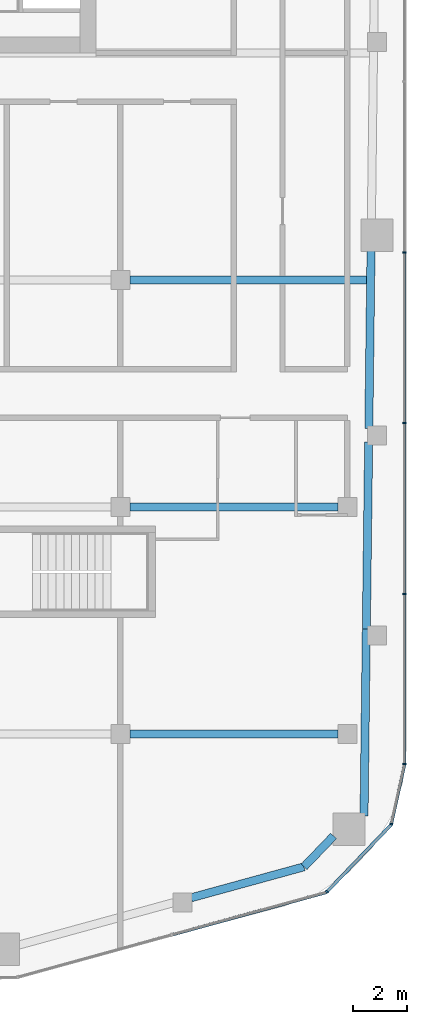
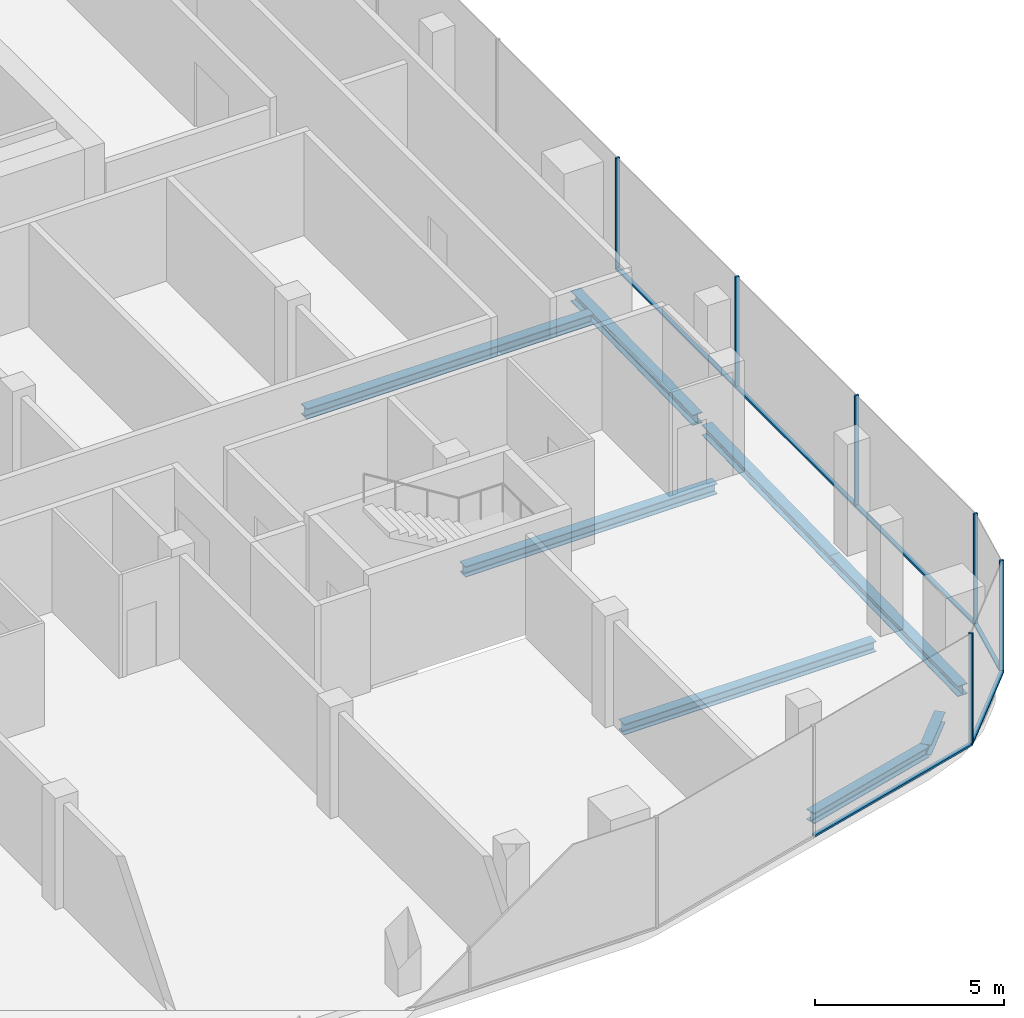
# One storey, part 6 of 19: 12 members, 8 beams, 4 elements without a shape of their own.
"""IFC4 building model written with IfcOpenShell, lengths in metres."""

from ifc_helpers import new_model, si_unit, direction, frame, origin, origin_2d, place, context, subcontext, project, spatial, rectangle, i_section, extrude, material, layer, layer_set, material_profile, profile_set, type_object, element, aggregate, save


model = new_model("IFC4")

# Units and contexts
model_context = context("Model", 3, precision=1e-05, world=origin(), true_north=direction((0.0, 1.0)))
body_context = subcontext(model_context, "Body", "Model", "MODEL_VIEW")
ifc_project = project(units=[si_unit("LENGTHUNIT", "METRE"), si_unit("AREAUNIT", "SQUARE_METRE"), si_unit("VOLUMEUNIT", "CUBIC_METRE"), si_unit("PLANEANGLEUNIT", "RADIAN"), si_unit("MASSUNIT", "GRAM", prefix="KILO")], contexts=[model_context])

# Site, building, storey
site_placement = place(None, origin())
site = spatial("IfcSite", under=ifc_project, at=site_placement, CompositionType="ELEMENT")
building_placement = place(site_placement, origin())
building = spatial("IfcBuilding", under=site, at=building_placement, Name="Marenta Gate Hotel Tower", CompositionType="ELEMENT")
storey_placement = place(building_placement, frame((0.0, 0.0, 274.10009765625)))
storey = spatial("IfcBuildingStorey", under=building, at=storey_placement, Name="L63", CompositionType="ELEMENT", Elevation=274.10009765625)

# Beams
ifc_material_1 = material(Name="Steel S355", Category="steel")
ifc_material_profile_1 = material_profile(ifc_material_1, i_section(OverallWidth=0.300048828125, OverallDepth=0.340087890625, WebThickness=0.011962890625, FlangeThickness=0.021484375, FilletRadius=0.027099609375, at=origin_2d()), Name="HEB 340")
ifc_profile_set_1 = profile_set([ifc_material_profile_1], Name="Steel S355")
beam_type_1 = type_object("IfcBeamType", Name="Edge beam HEB 340", PredefinedType="SPANDREL", material=ifc_profile_set_1)
beam_1_placement = place(storey_placement, frame((21.877197265625, -7.31005859375, -0.43017578125), z_axis=(-0.012334222436, -0.999923930585, 0.0), x_axis=(0.999923930585, -0.012334222436, 0.0)))
element("IfcBeam", 1, at=beam_1_placement, inside=storey, type_object=beam_type_1, Name="L63-EB-25", PredefinedType="SPANDREL", context=body_context, shape_type="SweptSolid", body=[
    extrude(i_section(OverallWidth=0.300048828125, OverallDepth=0.340087890625, WebThickness=0.011962890625, FlangeThickness=0.021484375, FilletRadius=0.027099609375, at=origin_2d()), origin(), (0.0, 0.0, 1.0), 6.59130859375),
])
for number, where, z_axis, x_axis, name in (
    (2, (21.789794921875, -14.40087890625, -0.43017578125), (-0.01235432395, -0.999923682428, 0.0), (0.999923682428, -0.01235432395, 0.0), "L63-EB-26"),
    (3, (21.704345703125, -21.31689453125, -0.43017578125), (-0.012319031246, -0.999924117856, 0.0), (0.999924117856, -0.012319031246, 0.0), "L63-EB-27"),
):
    element("IfcBeam", number, at=place(storey_placement, frame(where, z_axis=z_axis, x_axis=x_axis)), inside=storey, type_object=beam_type_1, Name=name, PredefinedType="SPANDREL", context=body_context, shape_type="SweptSolid", body=[
        extrude(i_section(OverallWidth=0.300048828125, OverallDepth=0.340087890625, WebThickness=0.011962890625, FlangeThickness=0.021484375, FilletRadius=0.027099609375, at=origin_2d()), origin(), (0.0, 0.0, 1.0), 6.91650390625),
    ])
beam_2_placement = place(storey_placement, frame((20.49072265625, -28.979248046875, -0.43017578125), z_axis=(-0.69258652087, -0.721334812073, 0.0), x_axis=(0.721334812073, -0.69258652087, 0.0)))
element("IfcBeam", 4, at=beam_2_placement, inside=storey, type_object=beam_type_1, Name="L63-EB-28", PredefinedType="SPANDREL", context=body_context, shape_type="SweptSolid", body=[
    extrude(i_section(OverallWidth=0.300048828125, OverallDepth=0.340087890625, WebThickness=0.011962890625, FlangeThickness=0.021484375, FilletRadius=0.027099609375, at=origin_2d()), origin(), (0.0, 0.0, 1.0), 1.57958984375),
])
beam_3_placement = place(storey_placement, frame((19.396728515625, -30.11865234375, -0.43017578125), z_axis=(-0.964358292356, -0.264599856319, 0.0), x_axis=(0.264599856319, -0.964358292356, 0.0)))
element("IfcBeam", 5, at=beam_3_placement, inside=storey, type_object=beam_type_1, Name="L63-EB-29", PredefinedType="SPANDREL", context=body_context, shape_type="SweptSolid", body=[
    extrude(i_section(OverallWidth=0.300048828125, OverallDepth=0.340087890625, WebThickness=0.011962890625, FlangeThickness=0.021484375, FilletRadius=0.027099609375, at=origin_2d()), origin(), (0.0, 0.0, 1.0), 4.3330078125),
])
ifc_material_2 = material(Name="Steel S355", Category="steel")
ifc_material_profile_2 = material_profile(ifc_material_2, i_section(OverallWidth=0.300048828125, OverallDepth=0.340087890625, WebThickness=0.011962890625, FlangeThickness=0.021484375, FilletRadius=0.027099609375, at=origin_2d()), Name="HEB 340")
ifc_profile_set_2 = profile_set([ifc_material_profile_2], Name="Steel S355")
beam_type_2 = type_object("IfcBeamType", Name="Girder HEB 340", PredefinedType="BEAM", material=ifc_profile_set_2)
for number, where, z_axis, x_axis, name in (
    (6, (12.949951171875, -25.199951171875, -0.43017578125), (1.0, 0.0, 0.0), (0.0, 1.0, 0.0), "L63-GD-5"),
    (7, (12.949951171875, -16.800048828125, -0.43017578125), (1.0, 0.0, 0.0), (0.0, 1.0, 0.0), "L63-GD-10"),
):
    element("IfcBeam", number, at=place(storey_placement, frame(where, z_axis=z_axis, x_axis=x_axis)), inside=storey, type_object=beam_type_2, Name=name, PredefinedType="BEAM", context=body_context, shape_type="SweptSolid", body=[
        extrude(i_section(OverallWidth=0.300048828125, OverallDepth=0.340087890625, WebThickness=0.011962890625, FlangeThickness=0.021484375, FilletRadius=0.027099609375, at=origin_2d()), origin(), (0.0, 0.0, 1.0), 7.699951171875),
    ])
beam_4_placement = place(storey_placement, frame((12.949951171875, -8.39990234375, -0.43017578125), z_axis=(1.0, 0.0, 0.0), x_axis=(0.0, 1.0, 0.0)))
element("IfcBeam", 8, at=beam_4_placement, inside=storey, type_object=beam_type_2, Name="L63-GD-15", PredefinedType="BEAM", context=body_context, shape_type="SweptSolid", body=[
    extrude(i_section(OverallWidth=0.300048828125, OverallDepth=0.340087890625, WebThickness=0.011962890625, FlangeThickness=0.021484375, FilletRadius=0.027099609375, at=origin_2d()), origin(), (0.0, 0.0, 1.0), 8.763916015625),
])

# Curtain wall, member
ifc_material_3 = material(Name="Tinted insulated glass in bronze anodised frame", Category="glass")
ifc_layer = layer(ifc_material_3, 0.1201171875)
ifc_layer_set = layer_set([ifc_layer], Name="Tinted insulated glass in bronze anodised frame")
curtain_wall_type = type_object("IfcCurtainWallType", Name="Tower unitised curtain wall CW1", PredefinedType="NOTDEFINED", material=ifc_layer_set)
curtain_wall_1_placement = place(storey_placement, origin())
curtain_wall_1 = element("IfcCurtainWall", 9, at=curtain_wall_1_placement, inside=storey, type_object=curtain_wall_type, Name="CW1 run G09", PredefinedType="NOTDEFINED")
ifc_material_4 = material(Name="Bronze anodised aluminium", Category="aluminium")
ifc_material_profile_3 = material_profile(ifc_material_4, rectangle(XDim=0.1201171875, YDim=0.06005859375, at=origin_2d()), Name="Mullion CW1 60x120 bronze anodised aluminium")
ifc_profile_set_3 = profile_set([ifc_material_profile_3], Name="Bronze anodised aluminium")
member_type_1 = type_object("IfcMemberType", Name="Mullion CW1 60x120 bronze anodised aluminium", PredefinedType="MULLION", material=ifc_profile_set_3)
member_1_placement = place(storey_placement, frame((20.24560546875, -31.0400390625, 0.0), z_axis=(0.0, 0.0, 1.0), x_axis=(-0.72137172224, 0.692548076564, 0.0)))
member_1 = element("IfcMember", 10, at=member_1_placement, type_object=member_type_1, Name="CW1 mullion 1", PredefinedType="MULLION", context=body_context, shape_type="SweptSolid", body=[
    extrude(rectangle(XDim=0.1201171875, YDim=0.06005859375, at=origin_2d()), origin(), (0.0, 0.0, 1.0), 3.599853515625),
])

curtain_wall_2_placement = place(storey_placement, origin())
curtain_wall_2 = element("IfcCurtainWall", 11, at=curtain_wall_2_placement, inside=storey, type_object=curtain_wall_type, Name="CW1 run G10", PredefinedType="NOTDEFINED")
member_2_placement = place(storey_placement, frame((22.626708984375, -28.537109375, 0.0), z_axis=(0.0, 0.0, 1.0), x_axis=(-0.97620669183, 0.216842096529, 0.0)))
member_2 = element("IfcMember", 12, at=member_2_placement, type_object=member_type_1, Name="CW1 mullion 1", PredefinedType="MULLION", context=body_context, shape_type="SweptSolid", body=[
    extrude(rectangle(XDim=0.1201171875, YDim=0.06005859375, at=origin_2d()), origin(), (0.0, 0.0, 1.0), 3.599853515625),
])

# Curtain wall, members
curtain_wall_3_placement = place(storey_placement, origin())
curtain_wall_3 = element("IfcCurtainWall", 13, at=curtain_wall_3_placement, inside=storey, type_object=curtain_wall_type, Name="CW1 run G11", PredefinedType="NOTDEFINED")
member_3_placement = place(storey_placement, frame((23.114013671875, -26.31396484375, 0.0), z_axis=(0.0, 0.0, 1.0), x_axis=(-1.0, 0.0, 0.0)))
member_3 = element("IfcMember", 14, at=member_3_placement, type_object=member_type_1, Name="CW1 mullion 1", PredefinedType="MULLION", context=body_context, shape_type="SweptSolid", body=[
    extrude(rectangle(XDim=0.1201171875, YDim=0.06005859375, at=origin_2d()), origin(), (0.0, 0.0, 1.0), 3.599853515625),
])
member_4_placement = place(storey_placement, frame((23.114013671875, -20.021240234375, 0.0), z_axis=(0.0, 0.0, 1.0), x_axis=(-1.0, 0.0, 0.0)))
member_4 = element("IfcMember", 15, at=member_4_placement, type_object=member_type_1, Name="CW1 mullion 2", PredefinedType="MULLION", context=body_context, shape_type="SweptSolid", body=[
    extrude(rectangle(XDim=0.1201171875, YDim=0.06005859375, at=origin_2d()), origin(), (0.0, 0.0, 1.0), 3.599853515625),
])
member_5_placement = place(storey_placement, frame((23.114013671875, -13.69873046875, 0.0), z_axis=(0.0, 0.0, 1.0), x_axis=(-1.0, 0.0, 0.0)))
member_5 = element("IfcMember", 16, at=member_5_placement, type_object=member_type_1, Name="CW1 mullion 3", PredefinedType="MULLION", context=body_context, shape_type="SweptSolid", body=[
    extrude(rectangle(XDim=0.1201171875, YDim=0.06005859375, at=origin_2d()), origin(), (0.0, 0.0, 1.0), 3.599853515625),
])
member_6_placement = place(storey_placement, frame((23.114013671875, -7.3759765625, 0.0), z_axis=(0.0, 0.0, 1.0), x_axis=(-1.0, 0.0, 0.0)))
member_6 = element("IfcMember", 17, at=member_6_placement, type_object=member_type_1, Name="CW1 mullion 4", PredefinedType="MULLION", context=body_context, shape_type="SweptSolid", body=[
    extrude(rectangle(XDim=0.1201171875, YDim=0.06005859375, at=origin_2d()), origin(), (0.0, 0.0, 1.0), 3.599853515625),
])

# Curtain wall, member
curtain_wall_4_placement = place(storey_placement, origin())
curtain_wall_4 = element("IfcCurtainWall", 18, at=curtain_wall_4_placement, inside=storey, type_object=curtain_wall_type, Name="CW1 run G08", PredefinedType="NOTDEFINED")
ifc_material_5 = material(Name="Bronze anodised aluminium", Category="aluminium")
ifc_material_profile_4 = material_profile(ifc_material_5, rectangle(XDim=0.1201171875, YDim=0.06005859375, at=origin_2d()), Name="Transom CW1 60x120 bronze anodised aluminium")
ifc_profile_set_4 = profile_set([ifc_material_profile_4], Name="Bronze anodised aluminium")
member_type_2 = type_object("IfcMemberType", Name="Transom CW1 60x120 bronze anodised aluminium", PredefinedType="USERDEFINED", material=ifc_profile_set_4)
member_7_placement = place(storey_placement, frame((14.52880859375, -32.62890625, 0.02978515625), z_axis=(0.964173953392, 0.265270781656, 0.0), x_axis=(-0.265270781656, 0.964173953392, 0.0)))
member_7 = element("IfcMember", 19, at=member_7_placement, type_object=member_type_2, Name="CW1 transom 2.1", ObjectType="TRANSOM", PredefinedType="USERDEFINED", context=body_context, shape_type="SweptSolid", body=[
    extrude(rectangle(XDim=0.1201171875, YDim=0.06005859375, at=origin_2d()), origin(), (0.0, 0.0, 1.0), 5.90771484375),
])
aggregate(curtain_wall_4, [member_7])

# Member
member_8_placement = place(storey_placement, frame((20.266357421875, -31.018310546875, 0.02978515625), z_axis=(0.692558740515, 0.721361484234, 0.0), x_axis=(-0.721361484234, 0.692558740515, 0.0)))
member_8 = element("IfcMember", 20, at=member_8_placement, type_object=member_type_2, Name="CW1 transom 1.1", ObjectType="TRANSOM", PredefinedType="USERDEFINED", context=body_context, shape_type="SweptSolid", body=[
    extrude(rectangle(XDim=0.1201171875, YDim=0.06005859375, at=origin_2d()), origin(), (0.0, 0.0, 1.0), 3.39892578125),
])

aggregate(curtain_wall_1, [member_1, member_8])

member_9_placement = place(storey_placement, frame((22.63330078125, -28.5078125, 0.02978515625), z_axis=(0.216872146276, 0.976200016477, 0.0), x_axis=(-0.976200016477, 0.216872146276, 0.0)))
member_9 = element("IfcMember", 21, at=member_9_placement, type_object=member_type_2, Name="CW1 transom 1.1", ObjectType="TRANSOM", PredefinedType="USERDEFINED", context=body_context, shape_type="SweptSolid", body=[
    extrude(rectangle(XDim=0.1201171875, YDim=0.06005859375, at=origin_2d()), origin(), (0.0, 0.0, 1.0), 2.216552734375),
])

aggregate(curtain_wall_2, [member_2, member_9])

member_10_placement = place(storey_placement, frame((23.114013671875, -26.283935546875, 0.02978515625), z_axis=(0.0, 1.0, 0.0), x_axis=(-1.0, 0.0, 0.0)))
member_10 = element("IfcMember", 22, at=member_10_placement, type_object=member_type_2, Name="CW1 transom 1.1", ObjectType="TRANSOM", PredefinedType="USERDEFINED", context=body_context, shape_type="SweptSolid", body=[
    extrude(rectangle(XDim=0.1201171875, YDim=0.06005859375, at=origin_2d()), origin(), (0.0, 0.0, 1.0), 6.232666015625),
])

member_11_placement = place(storey_placement, frame((23.114013671875, -19.9912109375, 0.02978515625), z_axis=(0.0, 1.0, 0.0), x_axis=(-1.0, 0.0, 0.0)))
member_11 = element("IfcMember", 23, at=member_11_placement, type_object=member_type_2, Name="CW1 transom 2.1", ObjectType="TRANSOM", PredefinedType="USERDEFINED", context=body_context, shape_type="SweptSolid", body=[
    extrude(rectangle(XDim=0.1201171875, YDim=0.06005859375, at=origin_2d()), origin(), (0.0, 0.0, 1.0), 6.2626953125),
])

member_12_placement = place(storey_placement, frame((23.114013671875, -13.668701171875, 0.02978515625), z_axis=(0.0, 1.0, 0.0), x_axis=(-1.0, 0.0, 0.0)))
member_12 = element("IfcMember", 24, at=member_12_placement, type_object=member_type_2, Name="CW1 transom 3.1", ObjectType="TRANSOM", PredefinedType="USERDEFINED", context=body_context, shape_type="SweptSolid", body=[
    extrude(rectangle(XDim=0.1201171875, YDim=0.06005859375, at=origin_2d()), origin(), (0.0, 0.0, 1.0), 6.2626953125),
])

aggregate(curtain_wall_3, [member_3, member_4, member_5, member_6, member_10, member_11, member_12])

save(model, "model.ifc")
